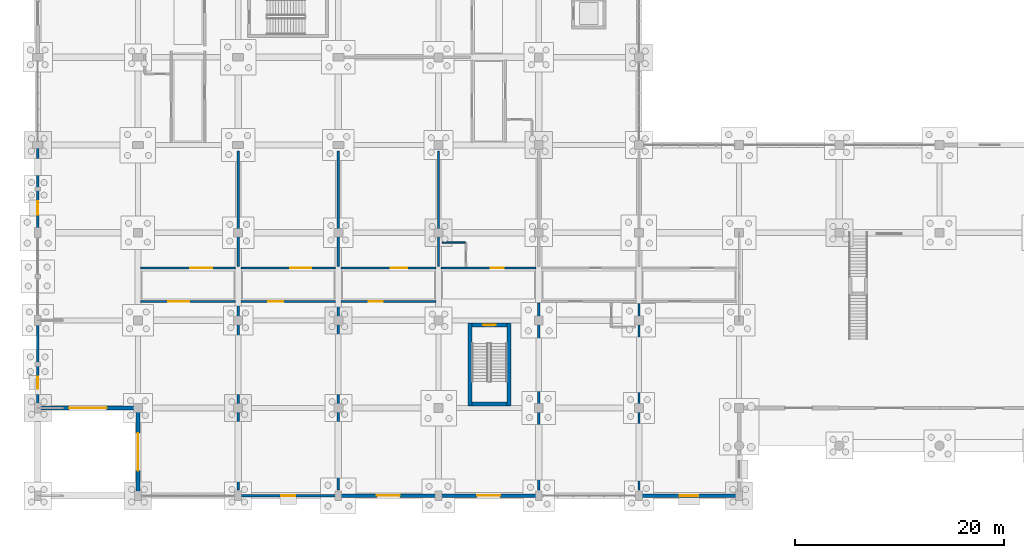
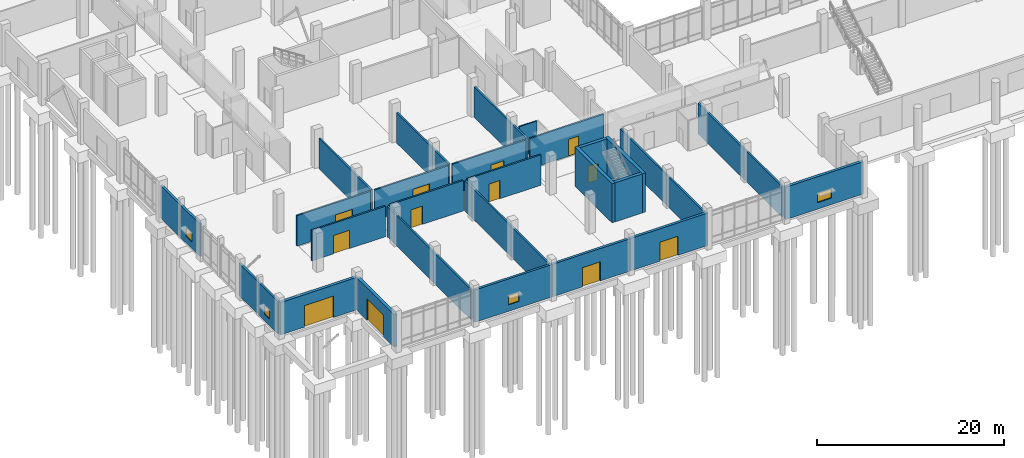
# One storey, part 102 of 136: 27 walls, 12 doors, 4 windows, 16 openings.
"""IFC4 building model written with IfcOpenShell, lengths in metres."""

from ifc_helpers import new_model, si_unit, direction, frame, frame_2d, origin, place, context, subcontext, project, spatial, rectangle, extrude, material, layer, layer_set, type_object, element, fill, save


model = new_model("IFC4")

# Units and contexts
model_context = context("Model", 3, precision=1e-05, world=origin(), true_north=direction((0.0, 1.0)))
body_context = subcontext(model_context, "Body", "Model", "MODEL_VIEW")
ifc_project = project(units=[si_unit("LENGTHUNIT", "METRE"), si_unit("AREAUNIT", "SQUARE_METRE"), si_unit("VOLUMEUNIT", "CUBIC_METRE"), si_unit("PLANEANGLEUNIT", "RADIAN"), si_unit("MASSUNIT", "GRAM", prefix="KILO")], contexts=[model_context])

# Site, building, storey
site_placement = place(None, origin())
site = spatial("IfcSite", under=ifc_project, at=site_placement, CompositionType="ELEMENT")
building_placement = place(site_placement, origin())
building = spatial("IfcBuilding", under=site, at=building_placement, Name="Oolite Switchyard Hospital", CompositionType="ELEMENT")
storey_placement = place(building_placement, origin())
storey = spatial("IfcBuildingStorey", under=building, at=storey_placement, Name="L00", CompositionType="ELEMENT", Elevation=0.0)

# Wall, opening, window
ifc_material_1 = material(Name="Precast oolitic limestone architectural concrete C40/50", Category="masonry")
ifc_layer_1 = layer(ifc_material_1, 0.260009765625)
ifc_layer_set_1 = layer_set([ifc_layer_1], Name="WAL-EXT-260")
wall_type_1 = type_object("IfcWallType", Name="WAL-EXT-260", PredefinedType="SOLIDWALL", material=ifc_layer_set_1)
wall_1_placement = place(storey_placement, frame((0.0, 8.56005859375, 0.0), z_axis=(0.0, 0.0, 1.0), x_axis=(0.0, 1.0, 0.0)))
wall_1 = element("IfcWall", 1, at=wall_1_placement, inside=storey, type_object=wall_type_1, Name="L00 Exterior Spandrel Wall 42", PredefinedType="SOLIDWALL", context=body_context, shape_type="SweptSolid", body=[
    extrude(rectangle(XDim=8.239990234375, YDim=0.260009765625, at=frame_2d((4.1201171875, 0.0))), origin(), (0.0, 0.0, 1.0), 4.239990234375),
])
opening_1_placement = place(wall_1_placement, frame((1.701904296875, 0.0, 0.85009765625)))
opening_1 = element("IfcOpeningElement", 2, at=opening_1_placement, cuts=wall_1, Name="Opening WN-0014", PredefinedType="OPENING", context=body_context, shape_type="SweptSolid", body=[
    extrude(rectangle(XDim=1.14990234375, YDim=1.199951171875, at=frame_2d((0.574951171875, 0.60009765625))), frame((0.0, 0.14013671875, 0.0), z_axis=(0.0, -1.0, 0.0), x_axis=(1.0, 0.0, 0.0)), (0.0, 0.0, 1.0), 0.280029296875),
])
ifc_material_2 = material(Name="Thermally broken aluminum frame with laminated impact glazing", Category="aluminium")
window_type_1 = type_object("IfcWindowType", Name="WIN-IMP-115X120", PartitioningType="SINGLE_PANEL", PredefinedType="WINDOW", material=ifc_material_2)
window_1_placement = place(opening_1_placement, origin())
window_1 = element("IfcWindow", 3, at=window_1_placement, inside=storey, type_object=window_type_1, Name="L00 Hurricane Impact Window WN-0014", OverallHeight=1.199951171875, OverallWidth=1.14990234375, PartitioningType="SINGLE_PANEL", PredefinedType="WINDOW", context=body_context, shape_type="SweptSolid", body=[
    extrude(rectangle(XDim=1.14990234375, YDim=1.199951171875, at=frame_2d((0.574951171875, 0.60009765625))), frame((0.0, 0.030029296875, 0.0), z_axis=(0.0, -1.0, 0.0), x_axis=(1.0, 0.0, 0.0)), (0.0, 0.0, 1.0), 0.06005859375),
])
fill(opening_1, window_1)

ifc_layer_2 = layer(ifc_material_1, 0.280029296875)
ifc_layer_set_2 = layer_set([ifc_layer_2], Name="WAL-EXT-280")
wall_type_2 = type_object("IfcWallType", Name="WAL-EXT-280", PredefinedType="SOLIDWALL", material=ifc_layer_set_2)
wall_2_placement = place(storey_placement, frame((28.800048828125, 0.0, 0.0), z_axis=(0.0, 0.0, 1.0), x_axis=(-1.0, 0.0, 0.0)))
wall_2 = element("IfcWall", 4, at=wall_2_placement, inside=storey, type_object=wall_type_2, Name="L00 Exterior Spandrel Wall 1", PredefinedType="SOLIDWALL", context=body_context, shape_type="SweptSolid", body=[
    extrude(rectangle(XDim=9.60009765625, YDim=0.280029296875, at=frame_2d((4.800048828125, 0.0))), origin(), (0.0, 0.0, 1.0), 4.239990234375),
])
opening_2_placement = place(wall_2_placement, frame((4.14990234375, 0.0, 0.85009765625)))
opening_2 = element("IfcOpeningElement", 5, at=opening_2_placement, cuts=wall_2, Name="Opening WN-0001", PredefinedType="OPENING", context=body_context, shape_type="SweptSolid", body=[
    extrude(rectangle(XDim=1.300048828125, YDim=1.199951171875, at=frame_2d((0.64990234375, 0.60009765625))), frame((0.0, 0.14990234375, 0.0), z_axis=(0.0, -1.0, 0.0), x_axis=(1.0, 0.0, 0.0)), (0.0, 0.0, 1.0), 0.300048828125),
])
window_type_2 = type_object("IfcWindowType", Name="WIN-IMP-130X120", PartitioningType="SINGLE_PANEL", PredefinedType="WINDOW", material=ifc_material_2)
window_2_placement = place(opening_2_placement, origin())
window_2 = element("IfcWindow", 6, at=window_2_placement, inside=storey, type_object=window_type_2, Name="L00 Hurricane Impact Window WN-0001", OverallHeight=1.199951171875, OverallWidth=1.300048828125, PartitioningType="SINGLE_PANEL", PredefinedType="WINDOW", context=body_context, shape_type="SweptSolid", body=[
    extrude(rectangle(XDim=1.300048828125, YDim=1.199951171875, at=frame_2d((0.64990234375, 0.60009765625))), frame((0.0, 0.030029296875, 0.0), z_axis=(0.0, -1.0, 0.0), x_axis=(1.0, 0.0, 0.0)), (0.0, 0.0, 1.0), 0.06005859375),
])
fill(opening_2, window_2)

wall_3_placement = place(storey_placement, frame((0.0, 25.199951171875, 0.0), z_axis=(0.0, 0.0, 1.0), x_axis=(0.0, 1.0, 0.0)))
wall_3 = element("IfcWall", 7, at=wall_3_placement, inside=storey, type_object=wall_type_2, Name="L00 Exterior Spandrel Wall 43", PredefinedType="SOLIDWALL", context=body_context, shape_type="SweptSolid", body=[
    extrude(rectangle(XDim=8.400146484375, YDim=0.280029296875, at=frame_2d((4.2001953125, 0.0))), origin(), (0.0, 0.0, 1.0), 4.239990234375),
])
opening_3_placement = place(wall_3_placement, frame((1.7041015625, 0.0, 0.85009765625)))
opening_3 = element("IfcOpeningElement", 8, at=opening_3_placement, cuts=wall_3, Name="Opening WN-0015", PredefinedType="OPENING", context=body_context, shape_type="SweptSolid", body=[
    extrude(rectangle(XDim=1.300048828125, YDim=1.199951171875, at=frame_2d((0.64990234375, 0.60009765625))), frame((0.0, 0.14990234375, 0.0), z_axis=(0.0, -1.0, 0.0), x_axis=(1.0, 0.0, 0.0)), (0.0, 0.0, 1.0), 0.300048828125),
])
window_3_placement = place(opening_3_placement, origin())
window_3 = element("IfcWindow", 9, at=window_3_placement, inside=storey, type_object=window_type_2, Name="L00 Hurricane Impact Window WN-0015", OverallHeight=1.199951171875, OverallWidth=1.300048828125, PartitioningType="SINGLE_PANEL", PredefinedType="WINDOW", context=body_context, shape_type="SweptSolid", body=[
    extrude(rectangle(XDim=1.300048828125, YDim=1.199951171875, at=frame_2d((0.64990234375, 0.60009765625))), frame((0.0, 0.030029296875, 0.0), z_axis=(0.0, -1.0, 0.0), x_axis=(1.0, 0.0, 0.0)), (0.0, 0.0, 1.0), 0.06005859375),
])
fill(opening_3, window_3)

# Wall, opening, door
ifc_layer_3 = layer(ifc_material_1, 0.300048828125)
ifc_layer_set_3 = layer_set([ifc_layer_3], Name="WAL-EXT-300")
wall_type_3 = type_object("IfcWallType", Name="WAL-EXT-300", PredefinedType="SOLIDWALL", material=ifc_layer_set_3)
wall_4_placement = place(storey_placement, frame((38.39990234375, 0.0, 0.0), z_axis=(0.0, 0.0, 1.0), x_axis=(-1.0, 0.0, 0.0)))
wall_4 = element("IfcWall", 10, at=wall_4_placement, inside=storey, type_object=wall_type_3, Name="L00 Exterior Spandrel Wall 2", PredefinedType="SOLIDWALL", context=body_context, shape_type="SweptSolid", body=[
    extrude(rectangle(XDim=9.599853515625, YDim=0.300048828125, at=frame_2d((4.7998046875, 0.0))), origin(), (0.0, 0.0, 1.0), 4.239990234375),
])
opening_4_placement = place(wall_4_placement, frame((3.699951171875, 0.0, 0.0)))
opening_4 = element("IfcOpeningElement", 11, at=opening_4_placement, cuts=wall_4, Name="Opening EX-01", PredefinedType="OPENING", context=body_context, shape_type="SweptSolid", body=[
    extrude(rectangle(XDim=2.199951171875, YDim=2.5, at=frame_2d((1.10009765625, 1.25))), frame((0.0, 0.16015625, 0.0), z_axis=(0.0, -1.0, 0.0), x_axis=(1.0, 0.0, 0.0)), (0.0, 0.0, 1.0), 0.320068359375),
])
door_type_1 = type_object("IfcDoorType", Name="DR-EXT-220X250", OperationType="NOTDEFINED", PredefinedType="DOOR", material=ifc_material_2)
door_1_placement = place(opening_4_placement, origin())
door_1 = element("IfcDoor", 12, at=door_1_placement, inside=storey, type_object=door_type_1, Name="L00 Exterior EX EX-01", OperationType="DOUBLE_DOOR_SINGLE_SWING", OverallHeight=2.5, OverallWidth=2.199951171875, PredefinedType="DOOR", context=body_context, shape_type="SweptSolid", body=[
    extrude(rectangle(XDim=2.199951171875, YDim=2.5, at=frame_2d((1.10009765625, 1.25))), frame((0.0, 0.02490234375, 0.0), z_axis=(0.0, -1.0, 0.0), x_axis=(1.0, 0.0, 0.0)), (0.0, 0.0, 1.0), 0.050048828125),
])
fill(opening_4, door_1)

ifc_layer_4 = layer(ifc_material_1, 0.320068359375)
ifc_layer_set_4 = layer_set([ifc_layer_4], Name="WAL-EXT-320")
wall_type_4 = type_object("IfcWallType", Name="WAL-EXT-320", PredefinedType="SOLIDWALL", material=ifc_layer_set_4)
wall_5_placement = place(storey_placement, frame((48.0, 0.0, 0.0), z_axis=(0.0, 0.0, 1.0), x_axis=(-1.0, 0.0, 0.0)))
wall_5 = element("IfcWall", 13, at=wall_5_placement, inside=storey, type_object=wall_type_4, Name="L00 Exterior Spandrel Wall 3", PredefinedType="SOLIDWALL", context=body_context, shape_type="SweptSolid", body=[
    extrude(rectangle(XDim=9.60009765625, YDim=0.320068359375, at=frame_2d((4.800048828125, 0.0))), origin(), (0.0, 0.0, 1.0), 4.239990234375),
])
opening_5_placement = place(wall_5_placement, frame((3.699951171875, 0.0, 0.0)))
opening_5 = element("IfcOpeningElement", 14, at=opening_5_placement, cuts=wall_5, Name="Opening EX-02", PredefinedType="OPENING", context=body_context, shape_type="SweptSolid", body=[
    extrude(rectangle(XDim=2.199951171875, YDim=2.5, at=frame_2d((1.10009765625, 1.25))), frame((0.0, 0.169921875, 0.0), z_axis=(0.0, -1.0, 0.0), x_axis=(1.0, 0.0, 0.0)), (0.0, 0.0, 1.0), 0.340087890625),
])
door_2_placement = place(opening_5_placement, origin())
door_2 = element("IfcDoor", 15, at=door_2_placement, inside=storey, type_object=door_type_1, Name="L00 Exterior EX EX-02", OperationType="DOUBLE_DOOR_SINGLE_SWING", OverallHeight=2.5, OverallWidth=2.199951171875, PredefinedType="DOOR", context=body_context, shape_type="SweptSolid", body=[
    extrude(rectangle(XDim=2.199951171875, YDim=2.5, at=frame_2d((1.10009765625, 1.25))), frame((0.0, 0.02490234375, 0.0), z_axis=(0.0, -1.0, 0.0), x_axis=(1.0, 0.0, 0.0)), (0.0, 0.0, 1.0), 0.050048828125),
])
fill(opening_5, door_2)

# Wall, opening, window
ifc_layer_5 = layer(ifc_material_1, 0.340087890625)
ifc_layer_set_5 = layer_set([ifc_layer_5], Name="WAL-EXT-340")
wall_type_5 = type_object("IfcWallType", Name="WAL-EXT-340", PredefinedType="SOLIDWALL", material=ifc_layer_set_5)
wall_6_placement = place(storey_placement, frame((67.199951171875, 0.0, 0.0), z_axis=(0.0, 0.0, 1.0), x_axis=(-1.0, 0.0, 0.0)))
wall_6 = element("IfcWall", 16, at=wall_6_placement, inside=storey, type_object=wall_type_5, Name="L00 Exterior Spandrel Wall 4", PredefinedType="SOLIDWALL", context=body_context, shape_type="SweptSolid", body=[
    extrude(rectangle(XDim=9.599853515625, YDim=0.340087890625, at=frame_2d((4.7998046875, 0.0))), origin(), (0.0, 0.0, 1.0), 4.239990234375),
])
opening_6_placement = place(wall_6_placement, frame((3.925048828125, 0.0, 0.85009765625)))
opening_6 = element("IfcOpeningElement", 17, at=opening_6_placement, cuts=wall_6, Name="Opening WN-0002", PredefinedType="OPENING", context=body_context, shape_type="SweptSolid", body=[
    extrude(rectangle(XDim=1.75, YDim=1.199951171875, at=frame_2d((0.875, 0.60009765625))), frame((0.0, 0.18017578125, 0.0), z_axis=(0.0, -1.0, 0.0), x_axis=(1.0, 0.0, 0.0)), (0.0, 0.0, 1.0), 0.360107421875),
])
window_type_3 = type_object("IfcWindowType", Name="WIN-IMP-175X120", PartitioningType="SINGLE_PANEL", PredefinedType="WINDOW", material=ifc_material_2)
window_4_placement = place(opening_6_placement, origin())
window_4 = element("IfcWindow", 18, at=window_4_placement, inside=storey, type_object=window_type_3, Name="L00 Hurricane Impact Window WN-0002", OverallHeight=1.199951171875, OverallWidth=1.75, PartitioningType="SINGLE_PANEL", PredefinedType="WINDOW", context=body_context, shape_type="SweptSolid", body=[
    extrude(rectangle(XDim=1.75, YDim=1.199951171875, at=frame_2d((0.875, 0.60009765625))), frame((0.0, 0.030029296875, 0.0), z_axis=(0.0, -1.0, 0.0), x_axis=(1.0, 0.0, 0.0)), (0.0, 0.0, 1.0), 0.06005859375),
])
fill(opening_6, window_4)

# Wall, opening, door
ifc_layer_6 = layer(ifc_material_1, 0.360107421875)
ifc_layer_set_6 = layer_set([ifc_layer_6], Name="WAL-EXT-360")
wall_type_6 = type_object("IfcWallType", Name="WAL-EXT-360", PredefinedType="SOLIDWALL", material=ifc_layer_set_6)
wall_7_placement = place(storey_placement, frame((9.60009765625, 8.39990234375, 0.0), z_axis=(0.0, 0.0, 1.0), x_axis=(-1.0, 0.0, 0.0)))
wall_7 = element("IfcWall", 19, at=wall_7_placement, inside=storey, type_object=wall_type_6, Name="L00 Exterior Spandrel Wall 5", PredefinedType="SOLIDWALL", context=body_context, shape_type="SweptSolid", body=[
    extrude(rectangle(XDim=9.60009765625, YDim=0.360107421875, at=frame_2d((4.800048828125, 0.0))), origin(), (0.0, 0.0, 1.0), 4.239990234375),
])
opening_7_placement = place(wall_7_placement, frame((3.0, 0.0, 0.0)))
opening_7 = element("IfcOpeningElement", 20, at=opening_7_placement, cuts=wall_7, Name="Opening GT-01", PredefinedType="OPENING", context=body_context, shape_type="SweptSolid", body=[
    extrude(rectangle(XDim=3.60009765625, YDim=2.800048828125, at=frame_2d((1.800048828125, 1.39990234375))), frame((0.0, 0.18994140625, 0.0), z_axis=(0.0, -1.0, 0.0), x_axis=(1.0, 0.0, 0.0)), (0.0, 0.0, 1.0), 0.380126953125),
])
ifc_material_3 = material(Name="Galvanized powder-coated structural steel gate assembly", Category="steel")
door_type_2 = type_object("IfcDoorType", Name="GT-AMB-360X280", OperationType="NOTDEFINED", PredefinedType="GATE", material=ifc_material_3)
door_3_placement = place(opening_7_placement, origin())
door_3 = element("IfcDoor", 21, at=door_3_placement, inside=storey, type_object=door_type_2, Name="L00 Exterior GT GT-01", OperationType="DOUBLE_DOOR_SINGLE_SWING", OverallHeight=2.800048828125, OverallWidth=3.60009765625, PredefinedType="GATE", context=body_context, shape_type="SweptSolid", body=[
    extrude(rectangle(XDim=3.60009765625, YDim=2.800048828125, at=frame_2d((1.800048828125, 1.39990234375))), frame((0.0, 0.02490234375, 0.0), z_axis=(0.0, -1.0, 0.0), x_axis=(1.0, 0.0, 0.0)), (0.0, 0.0, 1.0), 0.050048828125),
])
fill(opening_7, door_3)

ifc_layer_7 = layer(ifc_material_1, 0.3798828125)
ifc_layer_set_7 = layer_set([ifc_layer_7], Name="WAL-EXT-380")
wall_type_7 = type_object("IfcWallType", Name="WAL-EXT-380", PredefinedType="SOLIDWALL", material=ifc_layer_set_7)
wall_8_placement = place(storey_placement, frame((9.60009765625, 0.159912109375, 0.0), z_axis=(0.0, 0.0, 1.0), x_axis=(0.0, 1.0, 0.0)))
wall_8 = element("IfcWall", 22, at=wall_8_placement, inside=storey, type_object=wall_type_7, Name="L00 Exterior Spandrel Wall 55", PredefinedType="SOLIDWALL", context=body_context, shape_type="SweptSolid", body=[
    extrude(rectangle(XDim=8.080078125, YDim=0.3798828125, at=frame_2d((4.0400390625, 0.0))), origin(), (0.0, 0.0, 1.0), 4.239990234375),
])
opening_8_placement = place(wall_8_placement, frame((2.239990234375, 0.0, 0.0)))
opening_8 = element("IfcOpeningElement", 23, at=opening_8_placement, cuts=wall_8, Name="Opening GT-06", PredefinedType="OPENING", context=body_context, shape_type="SweptSolid", body=[
    extrude(rectangle(XDim=3.60009765625, YDim=2.800048828125, at=frame_2d((1.800048828125, 1.39990234375))), frame((0.0, 0.199951171875, 0.0), z_axis=(0.0, -1.0, 0.0), x_axis=(1.0, 0.0, 0.0)), (0.0, 0.0, 1.0), 0.39990234375),
])
door_4_placement = place(opening_8_placement, origin())
door_4 = element("IfcDoor", 24, at=door_4_placement, inside=storey, type_object=door_type_2, Name="L00 Exterior GT GT-06", OperationType="DOUBLE_DOOR_SINGLE_SWING", OverallHeight=2.800048828125, OverallWidth=3.60009765625, PredefinedType="GATE", context=body_context, shape_type="SweptSolid", body=[
    extrude(rectangle(XDim=3.60009765625, YDim=2.800048828125, at=frame_2d((1.800048828125, 1.39990234375))), frame((0.0, 0.02490234375, 0.0), z_axis=(0.0, -1.0, 0.0), x_axis=(1.0, 0.0, 0.0)), (0.0, 0.0, 1.0), 0.050048828125),
])
fill(opening_8, door_4)

# Walls
ifc_material_4 = material(Name="Moisture-resistant gypsum board on steel studs", Category="steel")
ifc_layer_8 = layer(ifc_material_4, 0.14990234375)
ifc_layer_set_8 = layer_set([ifc_layer_8], Name="WAL-PART-150")
wall_type_8 = type_object("IfcWallType", Name="WAL-PART-150", PredefinedType="PARTITIONING", material=ifc_layer_set_8)
wall_9_placement = place(storey_placement, frame((38.75, 24.25, 0.0), z_axis=(0.0, 0.0, 1.0), x_axis=(1.0, 0.0, 0.0)))
element("IfcWall", 25, at=wall_9_placement, inside=storey, type_object=wall_type_8, Name="L00 Interior Partition 15", PredefinedType="PARTITIONING", context=body_context, shape_type="SweptSolid", body=[
    extrude(rectangle(XDim=2.199951171875, YDim=0.14990234375, at=frame_2d((1.10009765625, 0.0))), origin(), (0.0, 0.0, 1.0), 3.97998046875),
])
ifc_material_5 = material(Name="Precast concrete C40/50", Category="concrete")
ifc_layer_9 = layer(ifc_material_5, 0.219970703125)
ifc_layer_set_9 = layer_set([ifc_layer_9], Name="WAL-RAD-220")
wall_type_9 = type_object("IfcWallType", Name="WAL-RAD-220", PredefinedType="PARTITIONING", material=ifc_layer_set_9)
wall_10_placement = place(storey_placement, frame((19.199951171875, 0.550048828125, 0.0), z_axis=(0.0, 0.0, 1.0), x_axis=(0.0, 1.0, 0.0)))
element("IfcWall", 26, at=wall_10_placement, inside=storey, type_object=wall_type_9, Name="L00 Interior Partition 6", PredefinedType="PARTITIONING", context=body_context, shape_type="SweptSolid", body=[
    extrude(rectangle(XDim=17.89990234375, YDim=0.219970703125, at=frame_2d((8.949951171875, 0.0))), origin(), (0.0, 0.0, 1.0), 3.97998046875),
])
wall_11_placement = place(storey_placement, frame((19.199951171875, 21.949951171875, 0.0), z_axis=(0.0, 0.0, 1.0), x_axis=(0.0, 1.0, 0.0)))
element("IfcWall", 27, at=wall_11_placement, inside=storey, type_object=wall_type_9, Name="L00 Interior Partition 8", PredefinedType="PARTITIONING", context=body_context, shape_type="SweptSolid", body=[
    extrude(rectangle(XDim=11.10009765625, YDim=0.219970703125, at=frame_2d((5.550048828125, 0.0))), origin(), (0.0, 0.0, 1.0), 3.97998046875),
])
wall_12_placement = place(storey_placement, frame((28.800048828125, 0.550048828125, 0.0), z_axis=(0.0, 0.0, 1.0), x_axis=(0.0, 1.0, 0.0)))
element("IfcWall", 28, at=wall_12_placement, inside=storey, type_object=wall_type_9, Name="L00 Interior Partition 10", PredefinedType="PARTITIONING", context=body_context, shape_type="SweptSolid", body=[
    extrude(rectangle(XDim=17.89990234375, YDim=0.219970703125, at=frame_2d((8.949951171875, 0.0))), origin(), (0.0, 0.0, 1.0), 3.97998046875),
])
for number, where, z_axis, x_axis, name in (
    (29, (28.800048828125, 21.949951171875, 0.0), (0.0, 0.0, 1.0), (0.0, 1.0, 0.0), "L00 Interior Partition 12"),
    (30, (38.39990234375, 21.949951171875, 0.0), (0.0, 0.0, 1.0), (0.0, 1.0, 0.0), "L00 Interior Partition 16"),
):
    element("IfcWall", number, at=place(storey_placement, frame(where, z_axis=z_axis, x_axis=x_axis)), inside=storey, type_object=wall_type_9, Name=name, PredefinedType="PARTITIONING", context=body_context, shape_type="SweptSolid", body=[
        extrude(rectangle(XDim=11.10009765625, YDim=0.219970703125, at=frame_2d((5.550048828125, 0.0))), origin(), (0.0, 0.0, 1.0), 3.97998046875),
    ])
for number, where, z_axis, x_axis, name in (
    (31, (48.0, 0.550048828125, 0.0), (0.0, 0.0, 1.0), (0.0, 1.0, 0.0), "L00 Interior Partition 20"),
    (32, (57.60009765625, 0.550048828125, 0.0), (0.0, 0.0, 1.0), (0.0, 1.0, 0.0), "L00 Interior Partition 24"),
):
    element("IfcWall", number, at=place(storey_placement, frame(where, z_axis=z_axis, x_axis=x_axis)), inside=storey, type_object=wall_type_9, Name=name, PredefinedType="PARTITIONING", context=body_context, shape_type="SweptSolid", body=[
        extrude(rectangle(XDim=17.89990234375, YDim=0.219970703125, at=frame_2d((8.949951171875, 0.0))), origin(), (0.0, 0.0, 1.0), 3.97998046875),
    ])
ifc_material_6 = material(Name="Concrete C50/60", Category="concrete")
ifc_layer_10 = layer(ifc_material_6, 0.39990234375)
ifc_layer_set_10 = layer_set([ifc_layer_10], Name="WAL-SHR-400")
wall_type_10 = type_object("IfcWallType", Name="WAL-SHR-400", PredefinedType="SHEAR", material=ifc_layer_set_10)
wall_13_placement = place(storey_placement, frame((41.39990234375, 16.550048828125, 0.0), z_axis=(0.0, 0.0, 1.0), x_axis=(0.0, -1.0, 0.0)))
element("IfcWall", 33, at=wall_13_placement, inside=storey, type_object=wall_type_10, Name="L00 Core Shear Wall ST-08", PredefinedType="SHEAR", context=body_context, shape_type="SweptSolid", body=[
    extrude(rectangle(XDim=7.949951171875, YDim=0.39990234375, at=frame_2d((3.97509765625, 0.0))), origin(), (0.0, 0.0, 1.0), 5.10009765625),
])
wall_14_placement = place(storey_placement, frame((41.60009765625, 8.800048828125, 0.0), z_axis=(0.0, 0.0, 1.0), x_axis=(1.0, 0.0, 0.0)))
element("IfcWall", 34, at=wall_14_placement, inside=storey, type_object=wall_type_10, Name="L00 Core Shear Wall ST-08", PredefinedType="SHEAR", context=body_context, shape_type="SweptSolid", body=[
    extrude(rectangle(XDim=3.35986328125, YDim=0.39990234375, at=frame_2d((1.679931640625, 0.0))), origin(), (0.0, 0.0, 1.0), 5.10009765625),
])
wall_15_placement = place(storey_placement, frame((45.159912109375, 8.60009765625, 0.0), z_axis=(0.0, 0.0, 1.0), x_axis=(0.0, 1.0, 0.0)))
element("IfcWall", 35, at=wall_15_placement, inside=storey, type_object=wall_type_10, Name="L00 Core Shear Wall ST-08", PredefinedType="SHEAR", context=body_context, shape_type="SweptSolid", body=[
    extrude(rectangle(XDim=7.949951171875, YDim=0.39990234375, at=frame_2d((3.97509765625, 0.0))), origin(), (0.0, 0.0, 1.0), 5.10009765625),
])

# Wall, opening, door
wall_16_placement = place(storey_placement, frame((44.9599609375, 16.35009765625, 0.0), z_axis=(0.0, 0.0, 1.0), x_axis=(-1.0, 0.0, 0.0)))
wall_16 = element("IfcWall", 36, at=wall_16_placement, inside=storey, type_object=wall_type_10, Name="L00 Core Shear Wall ST-08", PredefinedType="SHEAR", context=body_context, shape_type="SweptSolid", body=[
    extrude(rectangle(XDim=3.35986328125, YDim=0.39990234375, at=frame_2d((1.679931640625, 0.0))), origin(), (0.0, 0.0, 1.0), 5.10009765625),
])
opening_9_placement = place(wall_16_placement, frame((1.080078125, 0.0, 0.0)))
opening_9 = element("IfcOpeningElement", 37, at=opening_9_placement, cuts=wall_16, Name="Opening SD-047", PredefinedType="OPENING", context=body_context, shape_type="SweptSolid", body=[
    extrude(rectangle(XDim=1.199951171875, YDim=2.199951171875, at=frame_2d((0.60009765625, 1.10009765625))), frame((0.0, 0.2099609375, 0.0), z_axis=(0.0, -1.0, 0.0), x_axis=(1.0, 0.0, 0.0)), (0.0, 0.0, 1.0), 0.419921875),
])
ifc_material_7 = material(Name="Hollow metal fire-rated steel door assembly", Category="steel")
door_type_3 = type_object("IfcDoorType", Name="DR-STR-120X220", OperationType="NOTDEFINED", PredefinedType="DOOR", material=ifc_material_7)
door_5_placement = place(opening_9_placement, origin())
door_5 = element("IfcDoor", 38, at=door_5_placement, inside=storey, type_object=door_type_3, Name="L00 ST-08 Exit Stair Door SD-047", OperationType="SINGLE_SWING_RIGHT", OverallHeight=2.199951171875, OverallWidth=1.199951171875, PredefinedType="DOOR", context=body_context, shape_type="SweptSolid", body=[
    extrude(rectangle(XDim=1.199951171875, YDim=2.199951171875, at=frame_2d((0.60009765625, 1.10009765625))), frame((0.0, 0.02490234375, 0.0), z_axis=(0.0, -1.0, 0.0), x_axis=(1.0, 0.0, 0.0)), (0.0, 0.0, 1.0), 0.050048828125),
])
fill(opening_9, door_5)

ifc_layer_11 = layer(ifc_material_4, 0.199951171875)
ifc_layer_set_11 = layer_set([ifc_layer_11], Name="WAL-SMK-200")
wall_type_11 = type_object("IfcWallType", Name="WAL-SMK-200", PredefinedType="PARTITIONING", material=ifc_layer_set_11)
wall_17_placement = place(storey_placement, frame((9.85009765625, 18.60009765625, 0.0), z_axis=(0.0, 0.0, 1.0), x_axis=(1.0, 0.0, 0.0)))
wall_17 = element("IfcWall", 39, at=wall_17_placement, inside=storey, type_object=wall_type_11, Name="L00 Interior Partition 3", PredefinedType="PARTITIONING", context=body_context, shape_type="SweptSolid", body=[
    extrude(rectangle(XDim=9.099853515625, YDim=0.199951171875, at=frame_2d((4.5498046875, 0.0))), origin(), (0.0, 0.0, 1.0), 3.97998046875),
])
opening_10_placement = place(wall_17_placement, frame((2.64990234375, 0.0, 0.0)))
opening_10 = element("IfcOpeningElement", 40, at=opening_10_placement, cuts=wall_17, Name="Opening D-0006", PredefinedType="OPENING", context=body_context, shape_type="SweptSolid", body=[
    extrude(rectangle(XDim=2.0, YDim=2.39990234375, at=frame_2d((1.0, 1.199951171875))), frame((0.0, 0.10986328125, 0.0), z_axis=(0.0, -1.0, 0.0), x_axis=(1.0, 0.0, 0.0)), (0.0, 0.0, 1.0), 0.219970703125),
])
door_type_4 = type_object("IfcDoorType", Name="DR-OR-200X240", OperationType="NOTDEFINED", PredefinedType="DOOR", material=ifc_material_7)
door_6_placement = place(opening_10_placement, origin())
door_6 = element("IfcDoor", 41, at=door_6_placement, inside=storey, type_object=door_type_4, Name="L00 Interior Door D-0006", OperationType="DOUBLE_DOOR_SINGLE_SWING", OverallHeight=2.39990234375, OverallWidth=2.0, PredefinedType="DOOR", context=body_context, shape_type="SweptSolid", body=[
    extrude(rectangle(XDim=2.0, YDim=2.39990234375, at=frame_2d((1.0, 1.199951171875))), frame((0.0, 0.02490234375, 0.0), z_axis=(0.0, -1.0, 0.0), x_axis=(1.0, 0.0, 0.0)), (0.0, 0.0, 1.0), 0.050048828125),
])
fill(opening_10, door_6)

wall_18_placement = place(storey_placement, frame((9.85009765625, 21.800048828125, 0.0), z_axis=(0.0, 0.0, 1.0), x_axis=(1.0, 0.0, 0.0)))
wall_18 = element("IfcWall", 42, at=wall_18_placement, inside=storey, type_object=wall_type_11, Name="L00 Interior Partition 4", PredefinedType="PARTITIONING", context=body_context, shape_type="SweptSolid", body=[
    extrude(rectangle(XDim=9.099853515625, YDim=0.199951171875, at=frame_2d((4.5498046875, 0.0))), origin(), (0.0, 0.0, 1.0), 3.97998046875),
])
opening_11_placement = place(wall_18_placement, frame((4.75, 0.0, 0.0)))
opening_11 = element("IfcOpeningElement", 43, at=opening_11_placement, cuts=wall_18, Name="Opening D-0007", PredefinedType="OPENING", context=body_context, shape_type="SweptSolid", body=[
    extrude(rectangle(XDim=2.10009765625, YDim=2.39990234375, at=frame_2d((1.050048828125, 1.199951171875))), frame((0.0, 0.10986328125, 0.0), z_axis=(0.0, -1.0, 0.0), x_axis=(1.0, 0.0, 0.0)), (0.0, 0.0, 1.0), 0.219970703125),
])
door_type_5 = type_object("IfcDoorType", Name="DR-IMG-210X240", OperationType="NOTDEFINED", PredefinedType="DOOR", material=ifc_material_7)
door_7_placement = place(opening_11_placement, origin())
door_7 = element("IfcDoor", 44, at=door_7_placement, inside=storey, type_object=door_type_5, Name="L00 Interior Door D-0007", OperationType="DOUBLE_DOOR_SINGLE_SWING", OverallHeight=2.39990234375, OverallWidth=2.10009765625, PredefinedType="DOOR", context=body_context, shape_type="SweptSolid", body=[
    extrude(rectangle(XDim=2.10009765625, YDim=2.39990234375, at=frame_2d((1.050048828125, 1.199951171875))), frame((0.0, 0.02490234375, 0.0), z_axis=(0.0, -1.0, 0.0), x_axis=(1.0, 0.0, 0.0)), (0.0, 0.0, 1.0), 0.050048828125),
])
fill(opening_11, door_7)

wall_19_placement = place(storey_placement, frame((19.449951171875, 18.60009765625, 0.0), z_axis=(0.0, 0.0, 1.0), x_axis=(1.0, 0.0, 0.0)))
wall_19 = element("IfcWall", 45, at=wall_19_placement, inside=storey, type_object=wall_type_11, Name="L00 Interior Partition 5", PredefinedType="PARTITIONING", context=body_context, shape_type="SweptSolid", body=[
    extrude(rectangle(XDim=9.10009765625, YDim=0.199951171875, at=frame_2d((4.550048828125, 0.0))), origin(), (0.0, 0.0, 1.0), 3.97998046875),
])
opening_12_placement = place(wall_19_placement, frame((2.64990234375, 0.0, 0.0)))
opening_12 = element("IfcOpeningElement", 46, at=opening_12_placement, cuts=wall_19, Name="Opening D-0008", PredefinedType="OPENING", context=body_context, shape_type="SweptSolid", body=[
    extrude(rectangle(XDim=1.39990234375, YDim=2.39990234375, at=frame_2d((0.699951171875, 1.199951171875))), frame((0.0, 0.10986328125, 0.0), z_axis=(0.0, -1.0, 0.0), x_axis=(1.0, 0.0, 0.0)), (0.0, 0.0, 1.0), 0.219970703125),
])
ifc_material_8 = material(Name="Solid-core antimicrobial hardwood leaf in steel frame", Category="steel")
door_type_6 = type_object("IfcDoorType", Name="DR-ICU-140X240", OperationType="NOTDEFINED", PredefinedType="DOOR", material=ifc_material_8)
door_8_placement = place(opening_12_placement, origin())
door_8 = element("IfcDoor", 47, at=door_8_placement, inside=storey, type_object=door_type_6, Name="L00 Interior Door D-0008", OperationType="SINGLE_SWING_RIGHT", OverallHeight=2.39990234375, OverallWidth=1.39990234375, PredefinedType="DOOR", context=body_context, shape_type="SweptSolid", body=[
    extrude(rectangle(XDim=1.39990234375, YDim=2.39990234375, at=frame_2d((0.699951171875, 1.199951171875))), frame((0.0, 0.02490234375, 0.0), z_axis=(0.0, -1.0, 0.0), x_axis=(1.0, 0.0, 0.0)), (0.0, 0.0, 1.0), 0.050048828125),
])
fill(opening_12, door_8)

wall_20_placement = place(storey_placement, frame((19.449951171875, 21.800048828125, 0.0), z_axis=(0.0, 0.0, 1.0), x_axis=(1.0, 0.0, 0.0)))
wall_20 = element("IfcWall", 48, at=wall_20_placement, inside=storey, type_object=wall_type_11, Name="L00 Interior Partition 7", PredefinedType="PARTITIONING", context=body_context, shape_type="SweptSolid", body=[
    extrude(rectangle(XDim=9.10009765625, YDim=0.199951171875, at=frame_2d((4.550048828125, 0.0))), origin(), (0.0, 0.0, 1.0), 3.97998046875),
])
opening_13_placement = place(wall_20_placement, frame((4.75, 0.0, 0.0)))
opening_13 = element("IfcOpeningElement", 49, at=opening_13_placement, cuts=wall_20, Name="Opening D-0009", PredefinedType="OPENING", context=body_context, shape_type="SweptSolid", body=[
    extrude(rectangle(XDim=2.0, YDim=2.39990234375, at=frame_2d((1.0, 1.199951171875))), frame((0.0, 0.10986328125, 0.0), z_axis=(0.0, -1.0, 0.0), x_axis=(1.0, 0.0, 0.0)), (0.0, 0.0, 1.0), 0.219970703125),
])
door_9_placement = place(opening_13_placement, origin())
door_9 = element("IfcDoor", 50, at=door_9_placement, inside=storey, type_object=door_type_4, Name="L00 Interior Door D-0009", OperationType="DOUBLE_DOOR_SINGLE_SWING", OverallHeight=2.39990234375, OverallWidth=2.0, PredefinedType="DOOR", context=body_context, shape_type="SweptSolid", body=[
    extrude(rectangle(XDim=2.0, YDim=2.39990234375, at=frame_2d((1.0, 1.199951171875))), frame((0.0, 0.02490234375, 0.0), z_axis=(0.0, -1.0, 0.0), x_axis=(1.0, 0.0, 0.0)), (0.0, 0.0, 1.0), 0.050048828125),
])
fill(opening_13, door_9)

wall_21_placement = place(storey_placement, frame((29.050048828125, 18.60009765625, 0.0), z_axis=(0.0, 0.0, 1.0), x_axis=(1.0, 0.0, 0.0)))
wall_21 = element("IfcWall", 51, at=wall_21_placement, inside=storey, type_object=wall_type_11, Name="L00 Interior Partition 9", PredefinedType="PARTITIONING", context=body_context, shape_type="SweptSolid", body=[
    extrude(rectangle(XDim=9.099853515625, YDim=0.199951171875, at=frame_2d((4.5498046875, 0.0))), origin(), (0.0, 0.0, 1.0), 3.97998046875),
])
opening_14_placement = place(wall_21_placement, frame((2.64990234375, 0.0, 0.0)))
opening_14 = element("IfcOpeningElement", 52, at=opening_14_placement, cuts=wall_21, Name="Opening D-0010", PredefinedType="OPENING", context=body_context, shape_type="SweptSolid", body=[
    extrude(rectangle(XDim=1.35009765625, YDim=2.39990234375, at=frame_2d((0.675048828125, 1.199951171875))), frame((0.0, 0.10986328125, 0.0), z_axis=(0.0, -1.0, 0.0), x_axis=(1.0, 0.0, 0.0)), (0.0, 0.0, 1.0), 0.219970703125),
])
door_type_7 = type_object("IfcDoorType", Name="DR-ICU-135X240", OperationType="NOTDEFINED", PredefinedType="DOOR", material=ifc_material_8)
door_10_placement = place(opening_14_placement, origin())
door_10 = element("IfcDoor", 53, at=door_10_placement, inside=storey, type_object=door_type_7, Name="L00 Interior Door D-0010", OperationType="SINGLE_SWING_LEFT", OverallHeight=2.39990234375, OverallWidth=1.35009765625, PredefinedType="DOOR", context=body_context, shape_type="SweptSolid", body=[
    extrude(rectangle(XDim=1.35009765625, YDim=2.39990234375, at=frame_2d((0.675048828125, 1.199951171875))), frame((0.0, 0.02490234375, 0.0), z_axis=(0.0, -1.0, 0.0), x_axis=(1.0, 0.0, 0.0)), (0.0, 0.0, 1.0), 0.050048828125),
])
fill(opening_14, door_10)

wall_22_placement = place(storey_placement, frame((29.050048828125, 21.800048828125, 0.0), z_axis=(0.0, 0.0, 1.0), x_axis=(1.0, 0.0, 0.0)))
wall_22 = element("IfcWall", 54, at=wall_22_placement, inside=storey, type_object=wall_type_11, Name="L00 Interior Partition 11", PredefinedType="PARTITIONING", context=body_context, shape_type="SweptSolid", body=[
    extrude(rectangle(XDim=9.099853515625, YDim=0.199951171875, at=frame_2d((4.5498046875, 0.0))), origin(), (0.0, 0.0, 1.0), 3.97998046875),
])
opening_15_placement = place(wall_22_placement, frame((4.75, 0.0, 0.0)))
opening_15 = element("IfcOpeningElement", 55, at=opening_15_placement, cuts=wall_22, Name="Opening D-0011", PredefinedType="OPENING", context=body_context, shape_type="SweptSolid", body=[
    extrude(rectangle(XDim=1.60009765625, YDim=2.199951171875, at=frame_2d((0.800048828125, 1.10009765625))), frame((0.0, 0.10986328125, 0.0), z_axis=(0.0, -1.0, 0.0), x_axis=(1.0, 0.0, 0.0)), (0.0, 0.0, 1.0), 0.219970703125),
])
door_type_8 = type_object("IfcDoorType", Name="DR-DBL-160X220", OperationType="NOTDEFINED", PredefinedType="DOOR", material=ifc_material_7)
door_11_placement = place(opening_15_placement, origin())
door_11 = element("IfcDoor", 56, at=door_11_placement, inside=storey, type_object=door_type_8, Name="L00 Interior Door D-0011", OperationType="DOUBLE_DOOR_SINGLE_SWING", OverallHeight=2.199951171875, OverallWidth=1.60009765625, PredefinedType="DOOR", context=body_context, shape_type="SweptSolid", body=[
    extrude(rectangle(XDim=1.60009765625, YDim=2.199951171875, at=frame_2d((0.800048828125, 1.10009765625))), frame((0.0, 0.02490234375, 0.0), z_axis=(0.0, -1.0, 0.0), x_axis=(1.0, 0.0, 0.0)), (0.0, 0.0, 1.0), 0.050048828125),
])
fill(opening_15, door_11)

wall_23_placement = place(storey_placement, frame((38.64990234375, 21.800048828125, 0.0), z_axis=(0.0, 0.0, 1.0), x_axis=(1.0, 0.0, 0.0)))
wall_23 = element("IfcWall", 57, at=wall_23_placement, inside=storey, type_object=wall_type_11, Name="L00 Interior Partition 13", PredefinedType="PARTITIONING", context=body_context, shape_type="SweptSolid", body=[
    extrude(rectangle(XDim=9.10009765625, YDim=0.199951171875, at=frame_2d((4.550048828125, 0.0))), origin(), (0.0, 0.0, 1.0), 3.97998046875),
])
opening_16_placement = place(wall_23_placement, frame((4.75, 0.0, 0.0)))
opening_16 = element("IfcOpeningElement", 58, at=opening_16_placement, cuts=wall_23, Name="Opening D-0012", PredefinedType="OPENING", context=body_context, shape_type="SweptSolid", body=[
    extrude(rectangle(XDim=1.25, YDim=2.199951171875, at=frame_2d((0.625, 1.10009765625))), frame((0.0, 0.10986328125, 0.0), z_axis=(0.0, -1.0, 0.0), x_axis=(1.0, 0.0, 0.0)), (0.0, 0.0, 1.0), 0.219970703125),
])
door_type_9 = type_object("IfcDoorType", Name="DR-WARD-125X220", OperationType="NOTDEFINED", PredefinedType="DOOR", material=ifc_material_8)
door_12_placement = place(opening_16_placement, origin())
door_12 = element("IfcDoor", 59, at=door_12_placement, inside=storey, type_object=door_type_9, Name="L00 Interior Door D-0012", OperationType="SINGLE_SWING_LEFT", OverallHeight=2.199951171875, OverallWidth=1.25, PredefinedType="DOOR", context=body_context, shape_type="SweptSolid", body=[
    extrude(rectangle(XDim=1.25, YDim=2.199951171875, at=frame_2d((0.625, 1.10009765625))), frame((0.0, 0.02490234375, 0.0), z_axis=(0.0, -1.0, 0.0), x_axis=(1.0, 0.0, 0.0)), (0.0, 0.0, 1.0), 0.050048828125),
])
fill(opening_16, door_12)

save(model, "model.ifc")
